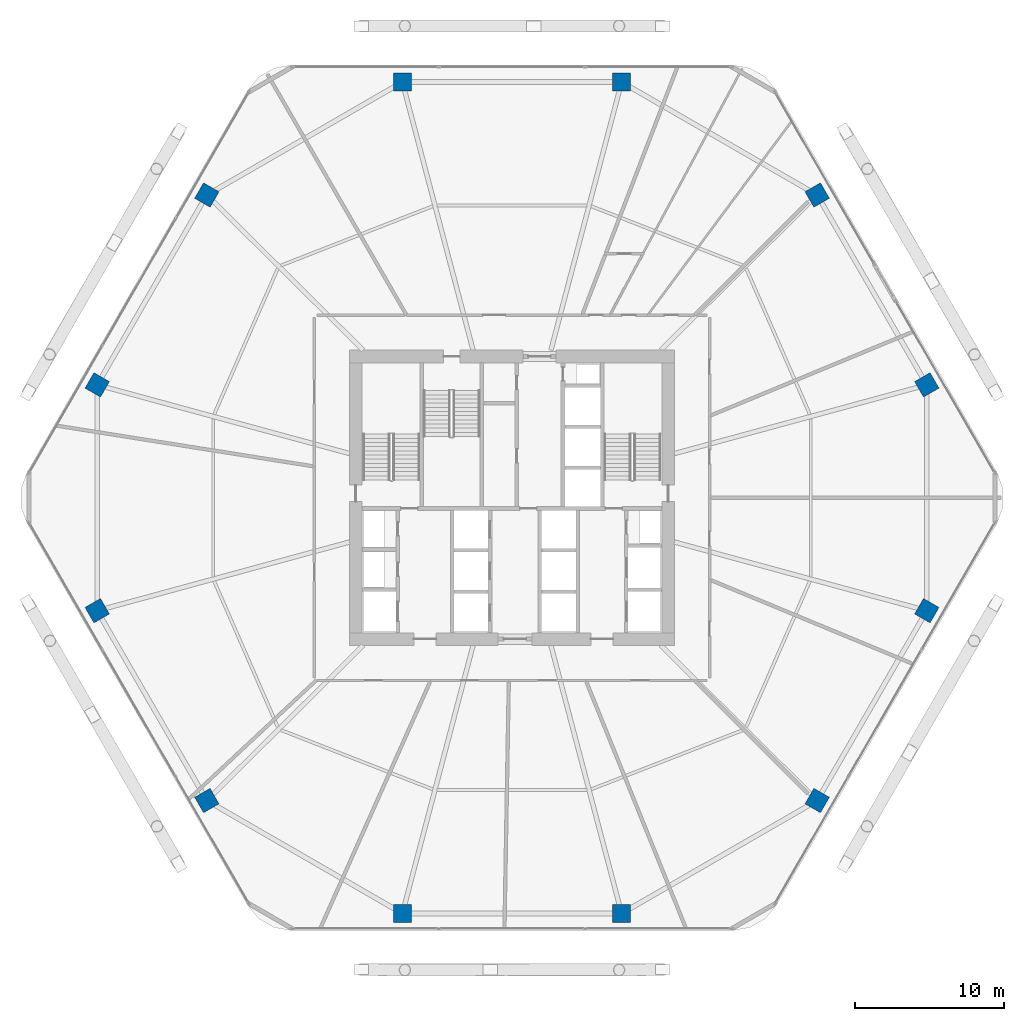
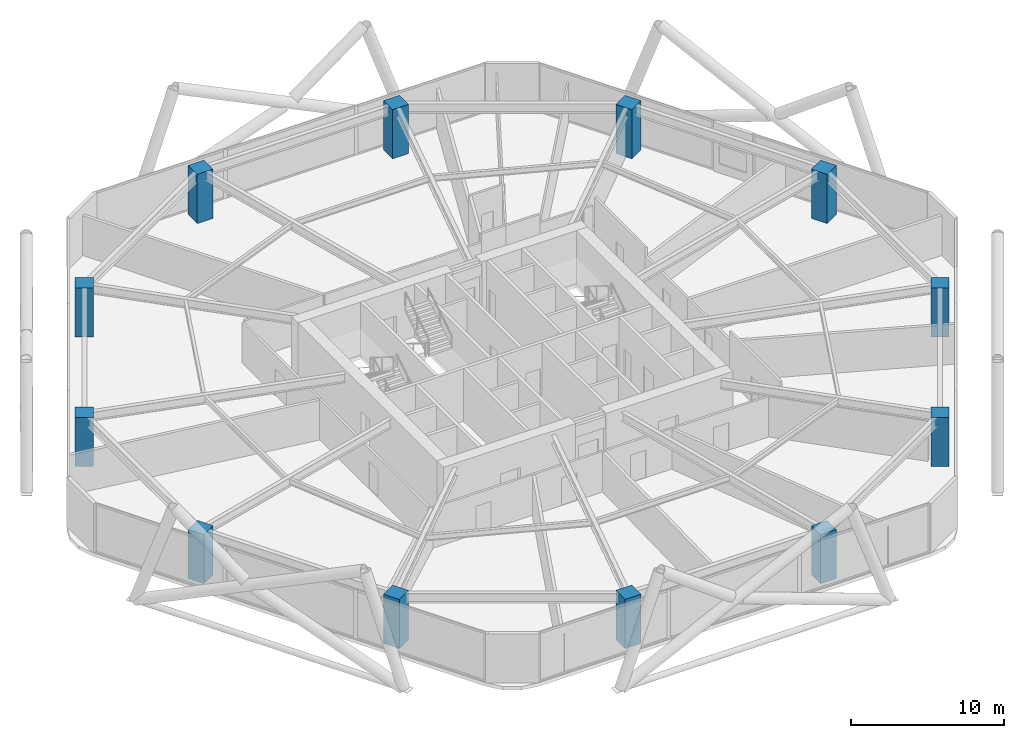
# One storey, part 1 of 28: 12 columns.
"""IFC4 building model written with IfcOpenShell, lengths in metres."""

from ifc_helpers import new_model, si_unit, direction, frame, origin, origin_2d, place, context, subcontext, project, spatial, rectangle, extrude, material, material_profile, profile_set, type_object, element, save


model = new_model("IFC4")

# Units and contexts
model_context = context("Model", 3, precision=1e-05, world=origin(), true_north=direction((0.0, 1.0)))
body_context = subcontext(model_context, "Body", "Model", "MODEL_VIEW")
ifc_project = project(units=[si_unit("LENGTHUNIT", "METRE"), si_unit("AREAUNIT", "SQUARE_METRE"), si_unit("VOLUMEUNIT", "CUBIC_METRE"), si_unit("PLANEANGLEUNIT", "RADIAN"), si_unit("MASSUNIT", "GRAM", prefix="KILO")], contexts=[model_context])

# Site, building, storey
site_placement = place(None, origin())
site = spatial("IfcSite", under=ifc_project, at=site_placement, CompositionType="ELEMENT")
building_placement = place(site_placement, origin())
building = spatial("IfcBuilding", under=site, at=building_placement, Name="Zuhravey Tower", CompositionType="ELEMENT")
storey_placement = place(building_placement, frame((0.0, 0.0, 75.0)))
storey = spatial("IfcBuildingStorey", under=building, at=storey_placement, Name="L18", CompositionType="ELEMENT", Elevation=75.0)

# Columns
ifc_material = material(Name="Concrete C60/75", Category="concrete")
ifc_material_profile = material_profile(ifc_material, rectangle(XDim=1.199951171875, YDim=1.199951171875, at=origin_2d()), Name="RC-1200x1200")
ifc_profile_set = profile_set([ifc_material_profile], Name="Concrete C60/75")
column_type = type_object("IfcColumnType", Name="Zone 1 Perimeter Column 1200x1200", PredefinedType="COLUMN", material=ifc_profile_set)
for number, where, z_axis, x_axis, name in (
    (1, (63.88916015625, 39.591552734375, 0.0), (0.0, 0.0, 1.0), (-0.5, 0.866025403784, 0.0), "L18 Perimeter Column PC01"),
    (2, (56.51904296875, 52.35693359375, 0.0), (0.0, 0.0, 1.0), (-0.5, 0.866025403784, 0.0), "L18 Perimeter Column PC02"),
    (3, (43.3701171875, 59.948486328125, 0.0), (0.0, 0.0, 1.0), (-1.0, 0.0, 0.0), "L18 Perimeter Column PC03"),
    (4, (28.6298828125, 59.948486328125, 0.0), (0.0, 0.0, 1.0), (-1.0, 0.0, 0.0), "L18 Perimeter Column PC04"),
    (5, (15.48095703125, 52.35693359375, 0.0), (0.0, 0.0, 1.0), (-0.5, -0.866025403784, 0.0), "L18 Perimeter Column PC05"),
    (6, (8.11083984375, 39.591552734375, 0.0), (0.0, 0.0, 1.0), (-0.5, -0.866025403784, 0.0), "L18 Perimeter Column PC06"),
    (7, (8.11083984375, 24.408447265625, 0.0), (0.0, 0.0, 1.0), (0.5, -0.866025403784, 0.0), "L18 Perimeter Column PC07"),
    (8, (15.48095703125, 11.64306640625, 0.0), (0.0, 0.0, 1.0), (0.5, -0.866025403784, 0.0), "L18 Perimeter Column PC08"),
    (9, (28.6298828125, 4.051513671875, 0.0), (0.0, 0.0, 1.0), (1.0, 0.0, 0.0), "L18 Perimeter Column PC09"),
    (10, (43.3701171875, 4.051513671875, 0.0), (0.0, 0.0, 1.0), (1.0, 0.0, 0.0), "L18 Perimeter Column PC10"),
    (11, (56.51904296875, 11.64306640625, 0.0), (0.0, 0.0, 1.0), (0.5, 0.866025403784, 0.0), "L18 Perimeter Column PC11"),
    (12, (63.88916015625, 24.408447265625, 0.0), (0.0, 0.0, 1.0), (0.5, 0.866025403784, 0.0), "L18 Perimeter Column PC12"),
):
    element("IfcColumn", number, at=place(storey_placement, frame(where, z_axis=z_axis, x_axis=x_axis)), inside=storey, type_object=column_type, Name=name, PredefinedType="COLUMN", context=body_context, shape_type="SweptSolid", body=[
        extrude(rectangle(XDim=1.199951171875, YDim=1.199951171875, at=origin_2d()), origin(), (0.0, 0.0, 1.0), 3.919921875),
    ])

save(model, "model.ifc")
